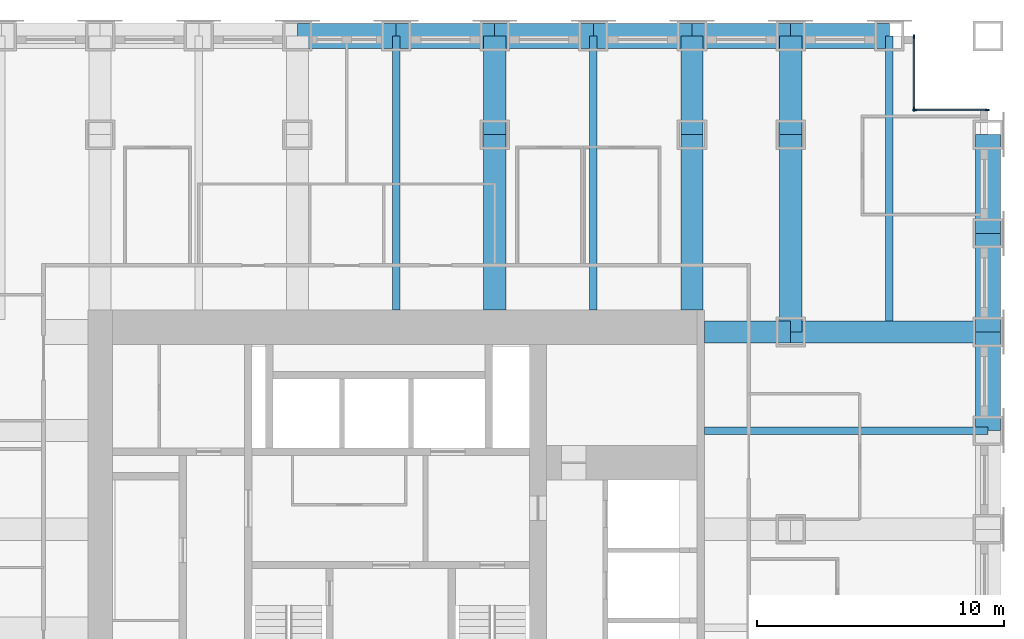
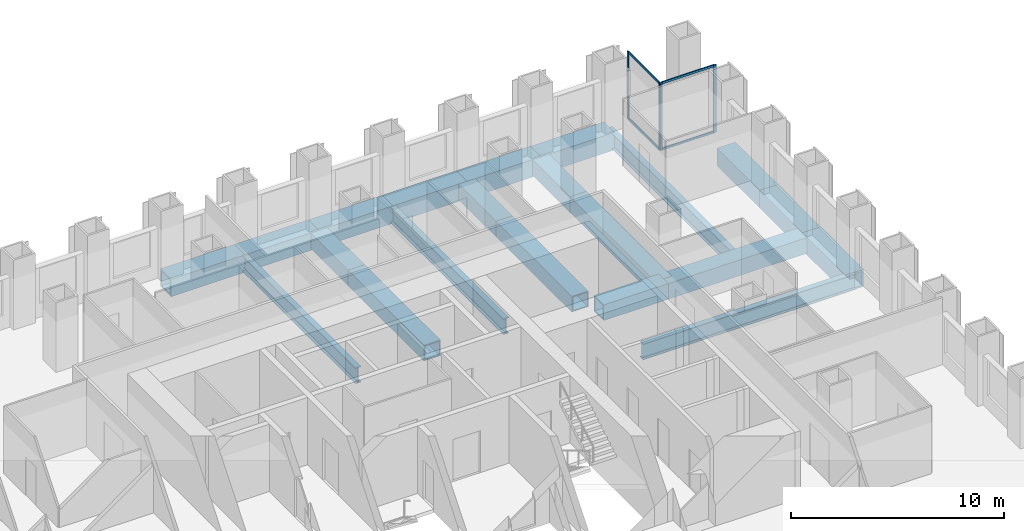
# One storey, part 6 of 14: 21 beams, 8 members, 2 elements without a shape of their own.
"""IFC4 building model written with IfcOpenShell, lengths in metres."""

from ifc_helpers import new_model, si_unit, direction, frame, origin, origin_2d, place, context, subcontext, project, spatial, rectangle, hollow_rectangle, i_section, extrude, material, material_profile, profile_set, type_object, element, aggregate, save


model = new_model("IFC4")

# Units and contexts
model_context = context("Model", 3, precision=1e-05, world=origin(), true_north=direction((0.0, 1.0)))
body_context = subcontext(model_context, "Body", "Model", "MODEL_VIEW")
ifc_project = project(units=[si_unit("LENGTHUNIT", "METRE"), si_unit("AREAUNIT", "SQUARE_METRE"), si_unit("VOLUMEUNIT", "CUBIC_METRE"), si_unit("PLANEANGLEUNIT", "RADIAN"), si_unit("MASSUNIT", "GRAM", prefix="KILO")], contexts=[model_context])

# Site, building, storey
site_placement = place(None, origin())
site = spatial("IfcSite", under=ifc_project, at=site_placement, CompositionType="ELEMENT")
building_placement = place(site_placement, origin())
building = spatial("IfcBuilding", under=site, at=building_placement, Name="Rimbunsela Tower", CompositionType="ELEMENT")
storey_placement = place(building_placement, frame((0.0, 0.0, 63.0)))
storey = spatial("IfcBuildingStorey", under=building, at=storey_placement, Name="L15", CompositionType="ELEMENT", Elevation=63.0)

# Beams
ifc_material_1 = material(Name="Steel BJ 55 (fy 410 MPa)", Category="steel")
ifc_material_profile_1 = material_profile(ifc_material_1, hollow_rectangle(XDim=1.0, YDim=1.0, WallThickness=0.10009765625, at=origin_2d()), Name="BOX 1000x1000x100")
ifc_profile_set_1 = profile_set([ifc_material_profile_1], Name="Steel BJ 55 (fy 410 MPa)")
beam_type_1 = type_object("IfcBeamType", Name="Beam BOX 1000x1000x100", PredefinedType="BEAM", material=ifc_profile_set_1)
for number, where, z_axis, x_axis, name in (
    (1, (26.0, 48.0, -0.64990234375), (1.0, 0.0, 0.0), (0.0, 1.0, 0.0), "Beam B3 L15"),
    (2, (30.0, 48.0, -0.64990234375), (1.0, 0.0, 0.0), (0.0, 1.0, 0.0), "Beam B3 L15"),
    (3, (34.0, 48.0, -0.64990234375), (1.0, 0.0, 0.0), (0.0, 1.0, 0.0), "Beam B3 L15"),
    (4, (38.0, 48.0, -0.64990234375), (1.0, 0.0, 0.0), (0.0, 1.0, 0.0), "Beam B3 L15"),
    (5, (42.0, 48.0, -0.64990234375), (1.0, 0.0, 0.0), (0.0, 1.0, 0.0), "Beam B3 L15"),
    (6, (46.0, 48.0, -0.64990234375), (1.0, 0.0, 0.0), (0.0, 1.0, 0.0), "Beam B3 L15"),
    (7, (54.0, 32.0, -0.64990234375), (0.0, 1.0, 0.0), (-1.0, 0.0, 0.0), "Beam B3 L15"),
    (8, (54.0, 36.0, -0.64990234375), (0.0, 1.0, 0.0), (-1.0, 0.0, 0.0), "Beam B3 L15"),
    (9, (54.0, 40.0, -0.64990234375), (0.0, 1.0, 0.0), (-1.0, 0.0, 0.0), "Beam B3 L15"),
):
    element("IfcBeam", number, at=place(storey_placement, frame(where, z_axis=z_axis, x_axis=x_axis)), inside=storey, type_object=beam_type_1, Name=name, PredefinedType="BEAM", context=body_context, shape_type="SweptSolid", body=[
        extrude(hollow_rectangle(XDim=1.0, YDim=1.0, WallThickness=0.10009765625, at=origin_2d()), origin(), (0.0, 0.0, 1.0), 4.0),
    ])
ifc_material_2 = material(Name="Steel BJ 55 (fy 410 MPa)", Category="steel")
ifc_material_profile_2 = material_profile(ifc_material_2, hollow_rectangle(XDim=0.89990234375, YDim=0.89990234375, WallThickness=0.06005859375, at=origin_2d()), Name="BOX 900x900x60")
ifc_profile_set_2 = profile_set([ifc_material_profile_2], Name="Steel BJ 55 (fy 410 MPa)")
beam_type_2 = type_object("IfcBeamType", Name="Beam BOX 900x900x60", PredefinedType="BEAM", material=ifc_profile_set_2)
beam_1_placement = place(storey_placement, frame((34.0, 36.89990234375, -0.60009765625), z_axis=(0.0, 1.0, 0.0), x_axis=(-1.0, 0.0, 0.0)))
element("IfcBeam", 10, at=beam_1_placement, inside=storey, type_object=beam_type_2, Name="Beam B1 L15", PredefinedType="BEAM", context=body_context, shape_type="SweptSolid", body=[
    extrude(hollow_rectangle(XDim=0.89990234375, YDim=0.89990234375, WallThickness=0.06005859375, at=origin_2d()), origin(), (0.0, 0.0, 1.0), 7.10009765625),
])
beam_2_placement = place(storey_placement, frame((34.0, 44.0, -0.60009765625), z_axis=(0.0, 1.0, 0.0), x_axis=(-1.0, 0.0, 0.0)))
element("IfcBeam", 11, at=beam_2_placement, inside=storey, type_object=beam_type_2, Name="Beam B1 L15", PredefinedType="BEAM", context=body_context, shape_type="SweptSolid", body=[
    extrude(hollow_rectangle(XDim=0.89990234375, YDim=0.89990234375, WallThickness=0.06005859375, at=origin_2d()), origin(), (0.0, 0.0, 1.0), 4.0),
])
beam_3_placement = place(storey_placement, frame((42.0, 36.89990234375, -0.60009765625), z_axis=(0.0, 1.0, 0.0), x_axis=(-1.0, 0.0, 0.0)))
element("IfcBeam", 12, at=beam_3_placement, inside=storey, type_object=beam_type_2, Name="Beam B1 L15", PredefinedType="BEAM", context=body_context, shape_type="SweptSolid", body=[
    extrude(hollow_rectangle(XDim=0.89990234375, YDim=0.89990234375, WallThickness=0.06005859375, at=origin_2d()), origin(), (0.0, 0.0, 1.0), 7.10009765625),
])
beam_4_placement = place(storey_placement, frame((42.0, 44.0, -0.60009765625), z_axis=(0.0, 1.0, 0.0), x_axis=(-1.0, 0.0, 0.0)))
element("IfcBeam", 13, at=beam_4_placement, inside=storey, type_object=beam_type_2, Name="Beam B1 L15", PredefinedType="BEAM", context=body_context, shape_type="SweptSolid", body=[
    extrude(hollow_rectangle(XDim=0.89990234375, YDim=0.89990234375, WallThickness=0.06005859375, at=origin_2d()), origin(), (0.0, 0.0, 1.0), 4.0),
])
beam_5_placement = place(storey_placement, frame((42.5, 36.0, -0.60009765625), z_axis=(1.0, 0.0, 0.0), x_axis=(0.0, 1.0, 0.0)))
element("IfcBeam", 14, at=beam_5_placement, inside=storey, type_object=beam_type_2, Name="Beam B1 L15", PredefinedType="BEAM", context=body_context, shape_type="SweptSolid", body=[
    extrude(hollow_rectangle(XDim=0.89990234375, YDim=0.89990234375, WallThickness=0.06005859375, at=origin_2d()), origin(), (0.0, 0.0, 1.0), 3.5),
])
for number, where, z_axis, x_axis, name in (
    (15, (46.0, 36.0, -0.60009765625), (0.0, 1.0, 0.0), (-1.0, 0.0, 0.0), "Beam B1 L15"),
    (16, (46.0, 36.0, -0.60009765625), (1.0, 0.0, 0.0), (0.0, 1.0, 0.0), "Beam B1 L15"),
):
    element("IfcBeam", number, at=place(storey_placement, frame(where, z_axis=z_axis, x_axis=x_axis)), inside=storey, type_object=beam_type_2, Name=name, PredefinedType="BEAM", context=body_context, shape_type="SweptSolid", body=[
        extrude(hollow_rectangle(XDim=0.89990234375, YDim=0.89990234375, WallThickness=0.06005859375, at=origin_2d()), origin(), (0.0, 0.0, 1.0), 8.0),
    ])
beam_6_placement = place(storey_placement, frame((46.0, 44.0, -0.60009765625), z_axis=(0.0, 1.0, 0.0), x_axis=(-1.0, 0.0, 0.0)))
element("IfcBeam", 17, at=beam_6_placement, inside=storey, type_object=beam_type_2, Name="Beam B1 L15", PredefinedType="BEAM", context=body_context, shape_type="SweptSolid", body=[
    extrude(hollow_rectangle(XDim=0.89990234375, YDim=0.89990234375, WallThickness=0.06005859375, at=origin_2d()), origin(), (0.0, 0.0, 1.0), 4.0),
])
ifc_material_3 = material(Name="Steel BJ 55 (fy 410 MPa)", Category="steel")
ifc_material_profile_3 = material_profile(ifc_material_3, i_section(OverallWidth=0.300048828125, OverallDepth=0.89990234375, WebThickness=0.01611328125, FlangeThickness=0.028076171875, FilletRadius=0.028076171875, at=origin_2d()), Name="H 900x300x16x28")
ifc_profile_set_3 = profile_set([ifc_material_profile_3], Name="Steel BJ 55 (fy 410 MPa)")
beam_type_3 = type_object("IfcBeamType", Name="Beam H 900x300x16x28", PredefinedType="BEAM", material=ifc_profile_set_3)
for number, where, z_axis, x_axis, name in (
    (18, (30.0, 36.89990234375, -0.60009765625), (0.0, 1.0, 0.0), (-1.0, 0.0, 0.0), "Beam B2 L15"),
    (19, (38.0, 36.89990234375, -0.60009765625), (0.0, 1.0, 0.0), (-1.0, 0.0, 0.0), "Beam B2 L15"),
):
    element("IfcBeam", number, at=place(storey_placement, frame(where, z_axis=z_axis, x_axis=x_axis)), inside=storey, type_object=beam_type_3, Name=name, PredefinedType="BEAM", context=body_context, shape_type="SweptSolid", body=[
        extrude(i_section(OverallWidth=0.300048828125, OverallDepth=0.89990234375, WebThickness=0.01611328125, FlangeThickness=0.028076171875, FilletRadius=0.028076171875, at=origin_2d()), origin(), (0.0, 0.0, 1.0), 11.10009765625),
    ])
beam_7_placement = place(storey_placement, frame((42.5, 32.0, -0.60009765625), z_axis=(1.0, 0.0, 0.0), x_axis=(0.0, 1.0, 0.0)))
element("IfcBeam", 20, at=beam_7_placement, inside=storey, type_object=beam_type_3, Name="Beam B2 L15", PredefinedType="BEAM", context=body_context, shape_type="SweptSolid", body=[
    extrude(i_section(OverallWidth=0.300048828125, OverallDepth=0.89990234375, WebThickness=0.01611328125, FlangeThickness=0.028076171875, FilletRadius=0.028076171875, at=origin_2d()), origin(), (0.0, 0.0, 1.0), 11.5),
])
beam_8_placement = place(storey_placement, frame((50.0, 36.449951171875, -0.60009765625), z_axis=(0.0, 1.0, 0.0), x_axis=(-1.0, 0.0, 0.0)))
element("IfcBeam", 21, at=beam_8_placement, inside=storey, type_object=beam_type_3, Name="Beam B2 L15", PredefinedType="BEAM", context=body_context, shape_type="SweptSolid", body=[
    extrude(i_section(OverallWidth=0.300048828125, OverallDepth=0.89990234375, WebThickness=0.01611328125, FlangeThickness=0.028076171875, FilletRadius=0.028076171875, at=origin_2d()), origin(), (0.0, 0.0, 1.0), 11.550048828125),
])

# Curtain wall, members
ifc_material_4 = material(Name="Aluminium curtain wall", Category="aluminium")
curtain_wall_type = type_object("IfcCurtainWallType", Name="Corner glazing", PredefinedType="USERDEFINED", material=ifc_material_4)
curtain_wall_1_placement = place(storey_placement, origin())
curtain_wall_1 = element("IfcCurtainWall", 22, at=curtain_wall_1_placement, inside=storey, type_object=curtain_wall_type, Name="Corner glazing L15", ObjectType="CORNER GLAZING", PredefinedType="USERDEFINED")
ifc_material_5 = material(Name="Aluminium mullion", Category="aluminium")
ifc_material_profile_4 = material_profile(ifc_material_5, rectangle(XDim=0.06005859375, YDim=0.159912109375, at=origin_2d()), Name="Mullion 60x160")
ifc_profile_set_4 = profile_set([ifc_material_profile_4], Name="Aluminium mullion")
member_type_1 = type_object("IfcMemberType", Name="Curtain wall mullion 60x160", PredefinedType="MULLION", material=ifc_profile_set_4)
member_1_placement = place(storey_placement, frame((53.969970703125, 45.0, 0.0), z_axis=(0.0, 0.0, 1.0), x_axis=(0.0, -1.0, 0.0)))
member_1 = element("IfcMember", 23, at=member_1_placement, type_object=member_type_1, Name="CW5 mullion 1", PredefinedType="MULLION", context=body_context, shape_type="SweptSolid", body=[
    extrude(rectangle(XDim=0.06005859375, YDim=0.159912109375, at=origin_2d()), origin(), (0.0, 0.0, 1.0), 3.85009765625),
])
member_2_placement = place(storey_placement, frame((51.030029296875, 45.0, 0.0), z_axis=(0.0, 0.0, 1.0), x_axis=(0.0, -1.0, 0.0)))
member_2 = element("IfcMember", 24, at=member_2_placement, type_object=member_type_1, Name="CW5 mullion 2", PredefinedType="MULLION", context=body_context, shape_type="SweptSolid", body=[
    extrude(rectangle(XDim=0.06005859375, YDim=0.159912109375, at=origin_2d()), origin(), (0.0, 0.0, 1.0), 3.85009765625),
])

curtain_wall_2_placement = place(storey_placement, origin())
curtain_wall_2 = element("IfcCurtainWall", 25, at=curtain_wall_2_placement, inside=storey, type_object=curtain_wall_type, Name="Corner glazing L15", ObjectType="CORNER GLAZING", PredefinedType="USERDEFINED")
member_3_placement = place(storey_placement, frame((51.0, 45.030029296875, 0.0), z_axis=(0.0, 0.0, 1.0), x_axis=(-1.0, 0.0, 0.0)))
member_3 = element("IfcMember", 26, at=member_3_placement, type_object=member_type_1, Name="CW5 mullion 1", PredefinedType="MULLION", context=body_context, shape_type="SweptSolid", body=[
    extrude(rectangle(XDim=0.06005859375, YDim=0.159912109375, at=origin_2d()), origin(), (0.0, 0.0, 1.0), 3.85009765625),
])
member_4_placement = place(storey_placement, frame((51.0, 47.969970703125, 0.0), z_axis=(0.0, 0.0, 1.0), x_axis=(-1.0, 0.0, 0.0)))
member_4 = element("IfcMember", 27, at=member_4_placement, type_object=member_type_1, Name="CW5 mullion 2", PredefinedType="MULLION", context=body_context, shape_type="SweptSolid", body=[
    extrude(rectangle(XDim=0.06005859375, YDim=0.159912109375, at=origin_2d()), origin(), (0.0, 0.0, 1.0), 3.85009765625),
])

# Member
ifc_material_6 = material(Name="Aluminium transom", Category="aluminium")
ifc_material_profile_5 = material_profile(ifc_material_6, rectangle(XDim=0.06005859375, YDim=0.1201171875, at=origin_2d()), Name="Transom 60x120")
ifc_profile_set_5 = profile_set([ifc_material_profile_5], Name="Aluminium transom")
member_type_2 = type_object("IfcMemberType", Name="Curtain wall transom 60x120", PredefinedType="USERDEFINED", material=ifc_profile_set_5)
member_5_placement = place(storey_placement, frame((53.93994140625, 45.0, 0.030029296875), z_axis=(-1.0, 0.0, 0.0), x_axis=(0.0, -1.0, 0.0)))
member_5 = element("IfcMember", 28, at=member_5_placement, type_object=member_type_2, Name="CW5 transom 1.1", ObjectType="TRANSOM", PredefinedType="USERDEFINED", context=body_context, shape_type="SweptSolid", body=[
    extrude(rectangle(XDim=0.06005859375, YDim=0.1201171875, at=origin_2d()), origin(), (0.0, 0.0, 1.0), 2.8798828125),
])

member_6_placement = place(storey_placement, frame((53.93994140625, 45.0, 3.820068359375), z_axis=(-1.0, 0.0, 0.0), x_axis=(0.0, -1.0, 0.0)))
member_6 = element("IfcMember", 29, at=member_6_placement, type_object=member_type_2, Name="CW5 transom 1.2", ObjectType="TRANSOM", PredefinedType="USERDEFINED", context=body_context, shape_type="SweptSolid", body=[
    extrude(rectangle(XDim=0.06005859375, YDim=0.1201171875, at=origin_2d()), origin(), (0.0, 0.0, 1.0), 2.8798828125),
])

aggregate(curtain_wall_1, [member_1, member_2, member_5, member_6])

member_7_placement = place(storey_placement, frame((51.0, 45.06005859375, 0.030029296875), z_axis=(0.0, 1.0, 0.0), x_axis=(-1.0, 0.0, 0.0)))
member_7 = element("IfcMember", 30, at=member_7_placement, type_object=member_type_2, Name="CW5 transom 1.1", ObjectType="TRANSOM", PredefinedType="USERDEFINED", context=body_context, shape_type="SweptSolid", body=[
    extrude(rectangle(XDim=0.06005859375, YDim=0.1201171875, at=origin_2d()), origin(), (0.0, 0.0, 1.0), 2.8798828125),
])

member_8_placement = place(storey_placement, frame((51.0, 45.06005859375, 3.820068359375), z_axis=(0.0, 1.0, 0.0), x_axis=(-1.0, 0.0, 0.0)))
member_8 = element("IfcMember", 31, at=member_8_placement, type_object=member_type_2, Name="CW5 transom 1.2", ObjectType="TRANSOM", PredefinedType="USERDEFINED", context=body_context, shape_type="SweptSolid", body=[
    extrude(rectangle(XDim=0.06005859375, YDim=0.1201171875, at=origin_2d()), origin(), (0.0, 0.0, 1.0), 2.8798828125),
])

aggregate(curtain_wall_2, [member_3, member_4, member_7, member_8])

save(model, "model.ifc")
